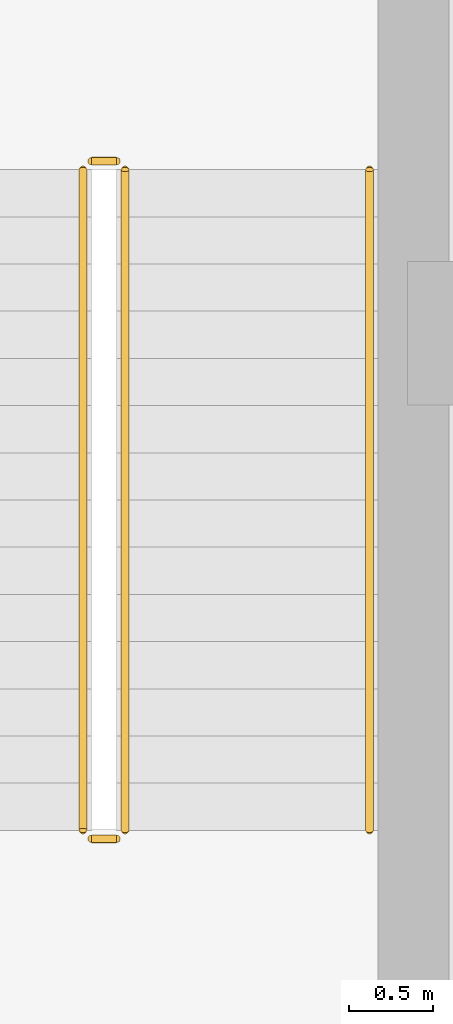
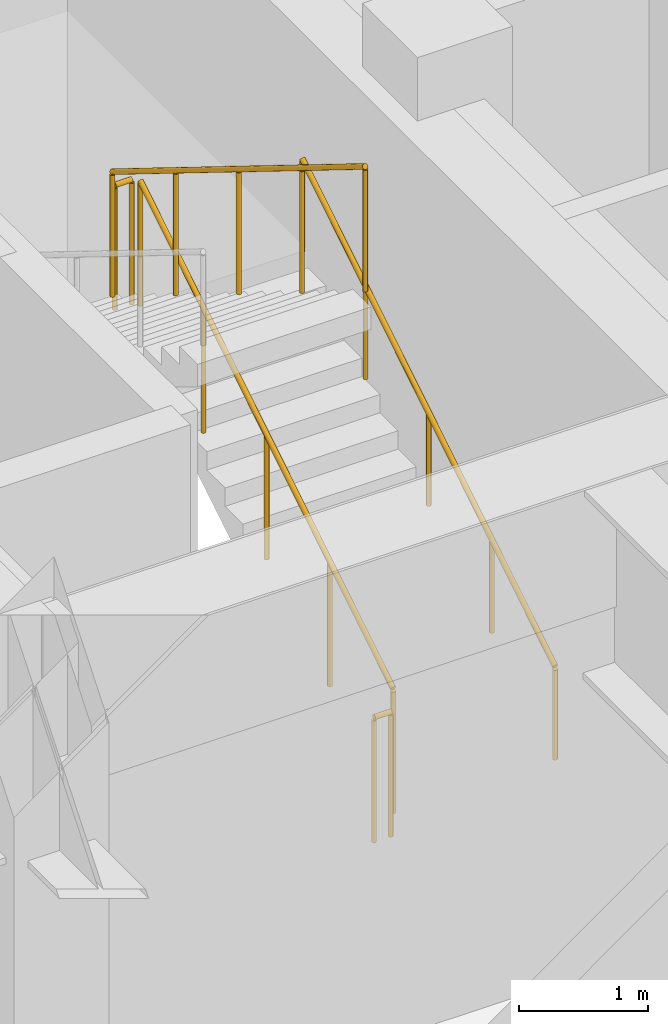
# One storey, part 30 of 34: 5 railings.
"""IFC4 building model written with IfcOpenShell, lengths in metres."""

from ifc_helpers import new_model, si_unit, direction, frame, origin, origin_2d, place, context, subcontext, project, spatial, circle, extrude, source, transform, mapped, material, type_object, element, save


model = new_model("IFC4")

# Units and contexts
model_context = context("Model", 3, precision=1e-05, world=origin(), true_north=direction((0.0, 1.0)))
body_context = subcontext(model_context, "Body", "Model", "MODEL_VIEW")
ifc_project = project(units=[si_unit("LENGTHUNIT", "METRE"), si_unit("AREAUNIT", "SQUARE_METRE"), si_unit("VOLUMEUNIT", "CUBIC_METRE"), si_unit("PLANEANGLEUNIT", "RADIAN"), si_unit("MASSUNIT", "GRAM", prefix="KILO")], contexts=[model_context])

# Site, building, storey
site_placement = place(None, origin())
site = spatial("IfcSite", under=ifc_project, at=site_placement, CompositionType="ELEMENT")
building_placement = place(site_placement, origin())
building = spatial("IfcBuilding", under=site, at=building_placement, Name="Khorayat Bourse Tower", CompositionType="ELEMENT")
storey_placement = place(building_placement, frame((0.0, 0.0, 144.699951171875)))
storey = spatial("IfcBuildingStorey", under=building, at=storey_placement, Name="L33", CompositionType="ELEMENT", Elevation=144.699951171875)

# Railings
ifc_material_1 = material(Name="Powder-coated steel balustrade", Category="steel")
railing_type_1 = type_object("IfcRailingType", Name="RLG-GUARD-1200", PredefinedType="GUARDRAIL", material=ifc_material_1)
shared_shape_1 = source(origin(), body_context, "Body", "SweptSolid", [
    extrude(circle(Radius=0.02392578125, at=origin_2d()), frame((0.0, 0.0, 1.17578125), z_axis=(-1.0, 0.0, 0.0), x_axis=(0.0, -1.0, 0.0)), (0.0, 0.0, 1.0), 0.150146484375),
    extrude(circle(Radius=0.02099609375, at=origin_2d()), origin(), (0.0, 0.0, 1.0), 1.15185546875),
    extrude(circle(Radius=0.02099609375, at=origin_2d()), frame((-0.150146484375, 0.0, 0.0)), (0.0, 0.0, 1.0), 1.15185546875),
])
for number, where, name in (
    (1, (-6.64990234375, -4.97998046875, 2.60009765625), "L33 ST-1 stair guard 2"),
    (2, (-6.64990234375, -9.0, 0.0), "L33 ST-1 stair guard 4"),
):
    element("IfcRailing", number, at=place(storey_placement, frame(where)), inside=storey, type_object=railing_type_1, Name=name, PredefinedType="GUARDRAIL", context=body_context, shape_type="MappedRepresentation", body=[
        mapped(shared_shape_1, transform((0.0, 0.0, 0.0), scale=1.0)),
    ])
shared_shape_2 = source(origin(), body_context, "Body", "SweptSolid", [
    extrude(circle(Radius=0.02392578125, at=origin_2d()), frame((0.0, 0.0, 1.17578125), z_axis=(0.0, 0.850251603719, 0.526376491091), x_axis=(-1.0, 0.0, 0.0)), (0.0, 0.0, 1.0), 4.6103515625),
    extrude(circle(Radius=0.02099609375, at=origin_2d()), origin(), (0.0, 0.0, 1.0), 1.15185546875),
    extrude(circle(Radius=0.02099609375, at=origin_2d()), frame((0.0, 0.97998046875, 0.606689453125)), (0.0, 0.0, 1.0), 1.15185546875),
    extrude(circle(Radius=0.02099609375, at=origin_2d()), frame((0.0, 1.9599609375, 1.21337890625)), (0.0, 0.0, 1.0), 1.15185546875),
    extrude(circle(Radius=0.02099609375, at=origin_2d()), frame((0.0, 2.93994140625, 1.820068359375)), (0.0, 0.0, 1.0), 1.15185546875),
    extrude(circle(Radius=0.02099609375, at=origin_2d()), frame((0.0, 3.919921875, 2.4267578125)), (0.0, 0.0, 1.0), 1.15185546875),
])
railing_1_placement = place(storey_placement, frame((-6.60009765625, -8.949951171875, 0.17333984375)))
element("IfcRailing", 3, at=railing_1_placement, inside=storey, type_object=railing_type_1, Name="L33 ST-1 stair guard 1", PredefinedType="GUARDRAIL", context=body_context, shape_type="MappedRepresentation", body=[
    mapped(shared_shape_2, transform((0.0, 0.0, 0.0), scale=1.0)),
])
shared_shape_3 = source(origin(), body_context, "Body", "SweptSolid", [
    extrude(circle(Radius=0.02392578125, at=origin_2d()), frame((0.0, 0.0, 1.17578125), z_axis=(0.0, -0.850275303828, 0.526338206574), x_axis=(1.0, 0.0, 0.0)), (0.0, 0.0, 1.0), 4.610107421875),
    extrude(circle(Radius=0.02099609375, at=origin_2d()), origin(), (0.0, 0.0, 1.0), 1.15185546875),
    extrude(circle(Radius=0.02099609375, at=origin_2d()), frame((0.0, -0.97998046875, 0.606689453125)), (0.0, 0.0, 1.0), 1.15185546875),
    extrude(circle(Radius=0.02099609375, at=origin_2d()), frame((0.0, -1.9599609375, 1.21337890625)), (0.0, 0.0, 1.0), 1.15185546875),
    extrude(circle(Radius=0.02099609375, at=origin_2d()), frame((0.0, -2.93994140625, 1.81982421875)), (0.0, 0.0, 1.0), 1.15185546875),
    extrude(circle(Radius=0.02099609375, at=origin_2d()), frame((0.0, -3.919921875, 2.426513671875)), (0.0, 0.0, 1.0), 1.15185546875),
])
railing_2_placement = place(storey_placement, frame((-6.85009765625, -5.030029296875, 2.7734375)))
element("IfcRailing", 4, at=railing_2_placement, inside=storey, type_object=railing_type_1, Name="L33 ST-1 stair guard 3", PredefinedType="GUARDRAIL", context=body_context, shape_type="MappedRepresentation", body=[
    mapped(shared_shape_3, transform((0.0, 0.0, 0.0), scale=1.0)),
])
ifc_material_2 = material(Name="Brushed bronze stainless-steel handrail", Category="steel")
railing_type_2 = type_object("IfcRailingType", Name="RLG-HAND-900", PredefinedType="HANDRAIL", material=ifc_material_2)
shared_shape_4 = source(origin(), body_context, "Body", "SweptSolid", [
    extrude(circle(Radius=0.02392578125, at=origin_2d()), frame((0.0, 0.0, 0.8759765625), z_axis=(0.0, 0.850251603719, 0.526376491091), x_axis=(-1.0, 0.0, 0.0)), (0.0, 0.0, 1.0), 4.6103515625),
    extrude(circle(Radius=0.02099609375, at=origin_2d()), origin(), (0.0, 0.0, 1.0), 0.851806640625),
    extrude(circle(Radius=0.02099609375, at=origin_2d()), frame((0.0, 0.97998046875, 0.606689453125)), (0.0, 0.0, 1.0), 0.851806640625),
    extrude(circle(Radius=0.02099609375, at=origin_2d()), frame((0.0, 1.9599609375, 1.21337890625)), (0.0, 0.0, 1.0), 0.851806640625),
    extrude(circle(Radius=0.02099609375, at=origin_2d()), frame((0.0, 2.93994140625, 1.820068359375)), (0.0, 0.0, 1.0), 0.851806640625),
    extrude(circle(Radius=0.02099609375, at=origin_2d()), frame((0.0, 3.919921875, 2.4267578125)), (0.0, 0.0, 1.0), 0.851806640625),
])
railing_3_placement = place(storey_placement, frame((-5.14990234375, -8.949951171875, 0.17333984375)))
element("IfcRailing", 5, at=railing_3_placement, inside=storey, type_object=railing_type_2, Name="L33 ST-1 stair handrail 1", PredefinedType="HANDRAIL", context=body_context, shape_type="MappedRepresentation", body=[
    mapped(shared_shape_4, transform((0.0, 0.0, 0.0), scale=1.0)),
])

save(model, "model.ifc")
